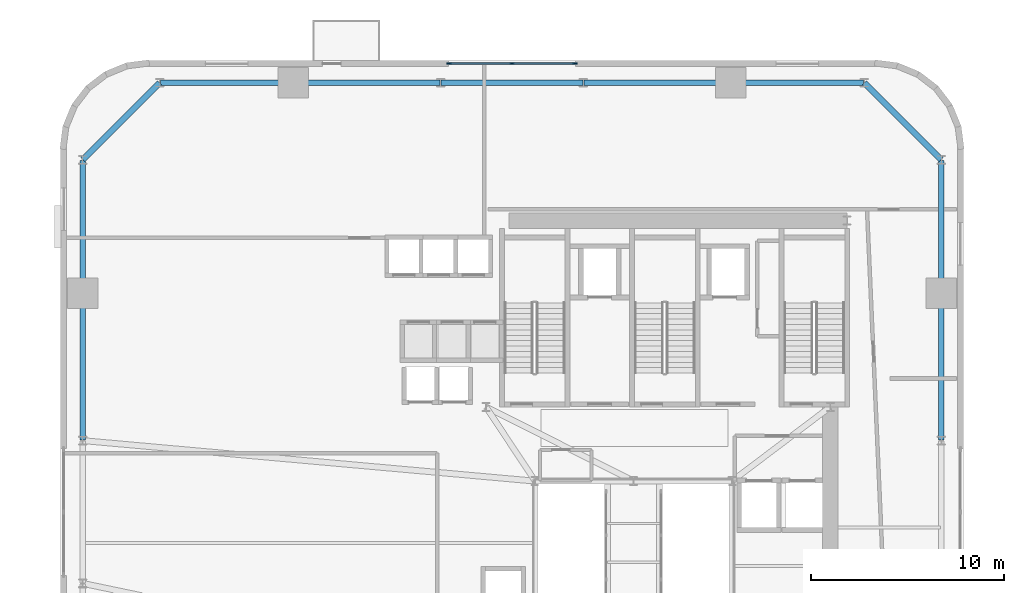
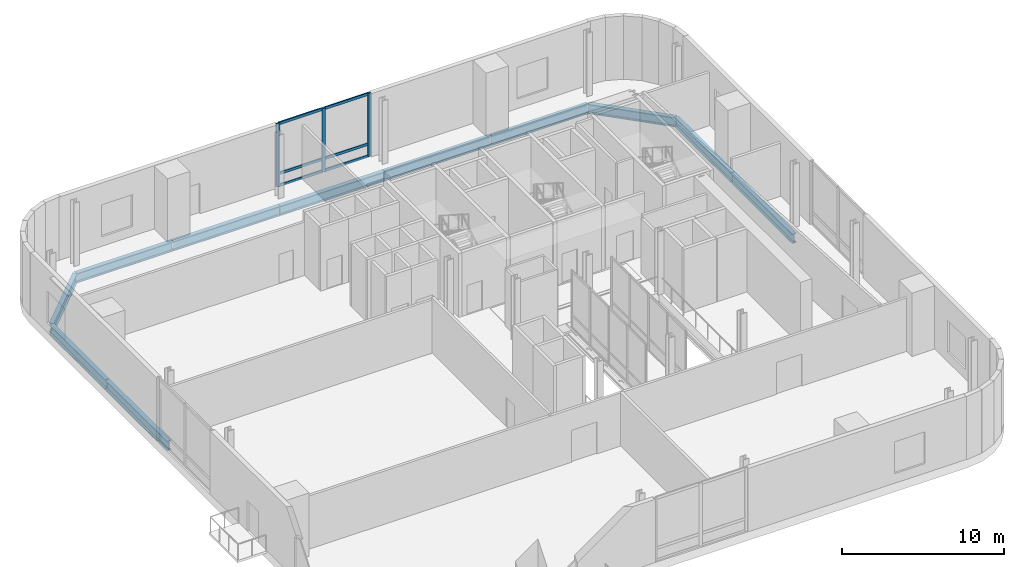
# One storey, part 5 of 13: 11 beams, 9 members, 1 element without a shape of its own.
"""IFC4 building model written with IfcOpenShell, lengths in metres."""

from ifc_helpers import new_model, si_unit, direction, frame, origin, origin_2d, place, context, subcontext, project, spatial, rectangle, i_section, extrude, source, transform, mapped, material, material_profile, profile_set, type_object, element, aggregate, save


model = new_model("IFC4")

# Units and contexts
model_context = context("Model", 3, precision=1e-05, world=origin(), true_north=direction((0.0, 1.0)))
body_context = subcontext(model_context, "Body", "Model", "MODEL_VIEW")
ifc_project = project(units=[si_unit("LENGTHUNIT", "METRE"), si_unit("AREAUNIT", "SQUARE_METRE"), si_unit("VOLUMEUNIT", "CUBIC_METRE"), si_unit("PLANEANGLEUNIT", "RADIAN"), si_unit("MASSUNIT", "GRAM", prefix="KILO")], contexts=[model_context])

# Site, building, storey
site_placement = place(None, origin())
site = spatial("IfcSite", under=ifc_project, at=site_placement, CompositionType="ELEMENT")
building_placement = place(site_placement, origin())
building = spatial("IfcBuilding", under=site, at=building_placement, Name="Vardaveli Station Tower", CompositionType="ELEMENT")
storey_placement = place(building_placement, frame((0.0, 0.0, 98.699951171875)))
storey = spatial("IfcBuildingStorey", under=building, at=storey_placement, Name="L25", CompositionType="ELEMENT", Elevation=98.699951171875)

# Beams
ifc_material_1 = material(Name="Structural steel S460M", Category="steel")
ifc_material_profile_1 = material_profile(ifc_material_1, i_section(OverallWidth=0.303955078125, OverallDepth=0.716064453125, WebThickness=0.02099609375, FlangeThickness=0.0400390625, FilletRadius=0.027099609375, at=origin_2d()), Name="HEM 700")
ifc_profile_set_1 = profile_set([ifc_material_profile_1], Name="Structural steel S460M")
beam_type = type_object("IfcBeamType", Name="BM-HEM700", PredefinedType="BEAM", material=ifc_profile_set_1)
shared_shape_1 = source(origin(), body_context, "Body", "SweptSolid", [
    extrude(i_section(OverallWidth=0.303955078125, OverallDepth=0.716064453125, WebThickness=0.02099609375, FlangeThickness=0.0400390625, FilletRadius=0.027099609375, at=origin_2d()), origin(), (0.0, 0.0, 1.0), 7.60009765625),
])
for number, where, z_axis, x_axis, name in (
    (1, (52.25, 28.919921875, -1.008056640625), (0.0, 1.0, 0.0), (-1.0, 0.0, 0.0), "RBM-L25-09"),
    (2, (41.320068359375, 47.449951171875, -1.008056640625), (-1.0, 0.0, 0.0), (0.0, -1.0, 0.0), "RBM-L25-13"),
    (3, (26.280029296875, 47.449951171875, -1.008056640625), (-1.0, 0.0, 0.0), (0.0, -1.0, 0.0), "RBM-L25-15"),
    (4, (7.75, 36.52001953125, -1.008056640625), (0.0, -1.0, 0.0), (1.0, 0.0, 0.0), "RBM-L25-19"),
):
    element("IfcBeam", number, at=place(storey_placement, frame(where, z_axis=z_axis, x_axis=x_axis)), inside=storey, type_object=beam_type, Name=name, PredefinedType="BEAM", context=body_context, shape_type="MappedRepresentation", body=[
        mapped(shared_shape_1, transform((0.0, 0.0, 0.0), scale=1.0)),
    ])
shared_shape_2 = source(origin(), body_context, "Body", "SweptSolid", [
    extrude(i_section(OverallWidth=0.303955078125, OverallDepth=0.716064453125, WebThickness=0.02099609375, FlangeThickness=0.0400390625, FilletRadius=0.027099609375, at=origin_2d()), origin(), (0.0, 0.0, 1.0), 7.35986328125),
])
beam_placement = place(storey_placement, frame((33.679931640625, 47.449951171875, -1.008056640625), z_axis=(-1.0, 0.0, 0.0), x_axis=(0.0, -1.0, 0.0)))
element("IfcBeam", 5, at=beam_placement, inside=storey, type_object=beam_type, Name="RBM-L25-14", PredefinedType="BEAM", context=body_context, shape_type="MappedRepresentation", body=[
    mapped(shared_shape_2, transform((0.0, 0.0, 0.0), scale=1.0)),
])
shared_shape_3 = source(origin(), body_context, "Body", "SweptSolid", [
    extrude(i_section(OverallWidth=0.303955078125, OverallDepth=0.716064453125, WebThickness=0.02099609375, FlangeThickness=0.0400390625, FilletRadius=0.027099609375, at=origin_2d()), origin(), (0.0, 0.0, 1.0), 6.869873046875),
])
for number, where, z_axis, x_axis, name in (
    (6, (52.25, 36.56005859375, -1.008056640625), (0.0, 1.0, 0.0), (-1.0, 0.0, 0.0), "RBM-L25-10"),
    (7, (48.22998046875, 47.449951171875, -1.008056640625), (-1.0, 0.0, 0.0), (0.0, -1.0, 0.0), "RBM-L25-12"),
    (8, (18.639892578125, 47.449951171875, -1.008056640625), (-1.0, 0.0, 0.0), (0.0, -1.0, 0.0), "RBM-L25-16"),
    (9, (7.75, 43.429931640625, -1.008056640625), (0.0, -1.0, 0.0), (1.0, 0.0, 0.0), "RBM-L25-18"),
):
    element("IfcBeam", number, at=place(storey_placement, frame(where, z_axis=z_axis, x_axis=x_axis)), inside=storey, type_object=beam_type, Name=name, PredefinedType="BEAM", context=body_context, shape_type="MappedRepresentation", body=[
        mapped(shared_shape_3, transform((0.0, 0.0, 0.0), scale=1.0)),
    ])
shared_shape_4 = source(origin(), body_context, "Body", "SweptSolid", [
    extrude(i_section(OverallWidth=0.303955078125, OverallDepth=0.716064453125, WebThickness=0.02099609375, FlangeThickness=0.0400390625, FilletRadius=0.027099609375, at=origin_2d()), origin(), (0.0, 0.0, 1.0), 5.61669921875),
])
for number, where, z_axis, x_axis, name in (
    (10, (52.23583984375, 43.464111328125, -1.008056640625), (-0.707106781187, 0.707106781187, 0.0), (-0.707106781187, -0.707106781187, 0.0), "RBM-L25-11"),
    (11, (11.73583984375, 47.435791015625, -1.008056640625), (-0.707106781187, -0.707106781187, 0.0), (0.707106781187, -0.707106781187, 0.0), "RBM-L25-17"),
):
    element("IfcBeam", number, at=place(storey_placement, frame(where, z_axis=z_axis, x_axis=x_axis)), inside=storey, type_object=beam_type, Name=name, PredefinedType="BEAM", context=body_context, shape_type="MappedRepresentation", body=[
        mapped(shared_shape_4, transform((0.0, 0.0, 0.0), scale=1.0)),
    ])

# Curtain wall, members
ifc_material_2 = material(Name="Travertine stone and solar-control glass", Category="masonry")
curtain_wall_type = type_object("IfcCurtainWallType", Name="CW-SYS-3", PredefinedType="NOTDEFINED", material=ifc_material_2)
curtain_wall_placement = place(storey_placement, origin())
curtain_wall = element("IfcCurtainWall", 12, at=curtain_wall_placement, inside=storey, type_object=curtain_wall_type, Name="CW-L25-N", PredefinedType="NOTDEFINED")
ifc_material_3 = material(Name="Anodised aluminium alloy 6063-T6", Category="aluminium")
ifc_material_profile_2 = material_profile(ifc_material_3, rectangle(XDim=0.090087890625, YDim=0.25, at=origin_2d()), Name="CWM 90x250")
ifc_profile_set_2 = profile_set([ifc_material_profile_2], Name="Anodised aluminium alloy 6063-T6")
member_type_1 = type_object("IfcMemberType", Name="CW-SYS-3-MULL", PredefinedType="MULLION", material=ifc_profile_set_2)
shared_shape_5 = source(origin(), body_context, "Body", "SweptSolid", [
    extrude(rectangle(XDim=0.090087890625, YDim=0.25, at=origin_2d()), origin(), (0.0, 0.0, 1.0), 4.760009765625),
])
member_1_placement = place(storey_placement, frame((33.2548828125, 48.43994140625, 0.0), z_axis=(0.0, 0.0, 1.0), x_axis=(0.0, -1.0, 0.0)))
member_1 = element("IfcMember", 13, at=member_1_placement, type_object=member_type_1, Name="CW-3 mullion 1", PredefinedType="MULLION", context=body_context, shape_type="MappedRepresentation", body=[
    mapped(shared_shape_5, transform((0.0, 0.0, 0.0), scale=1.0)),
])
member_2_placement = place(storey_placement, frame((30.0, 48.43994140625, 0.0), z_axis=(0.0, 0.0, 1.0), x_axis=(0.0, -1.0, 0.0)))
member_2 = element("IfcMember", 14, at=member_2_placement, type_object=member_type_1, Name="CW-3 mullion 2", PredefinedType="MULLION", context=body_context, shape_type="MappedRepresentation", body=[
    mapped(shared_shape_5, transform((0.0, 0.0, 0.0), scale=1.0)),
])
member_3_placement = place(storey_placement, frame((26.7451171875, 48.43994140625, 0.0), z_axis=(0.0, 0.0, 1.0), x_axis=(0.0, -1.0, 0.0)))
member_3 = element("IfcMember", 15, at=member_3_placement, type_object=member_type_1, Name="CW-3 mullion 3", PredefinedType="MULLION", context=body_context, shape_type="MappedRepresentation", body=[
    mapped(shared_shape_5, transform((0.0, 0.0, 0.0), scale=1.0)),
])
ifc_material_profile_3 = material_profile(ifc_material_3, rectangle(XDim=0.090087890625, YDim=0.199951171875, at=origin_2d()), Name="CWT 90x200")
ifc_profile_set_3 = profile_set([ifc_material_profile_3], Name="Anodised aluminium alloy 6063-T6")
member_type_2 = type_object("IfcMemberType", Name="CW-SYS-3-TRAN", PredefinedType="NOTDEFINED", material=ifc_profile_set_3)
shared_shape_6 = source(origin(), body_context, "Body", "SweptSolid", [
    extrude(rectangle(XDim=0.090087890625, YDim=0.199951171875, at=origin_2d()), origin(), (0.0, 0.0, 1.0), 3.1650390625),
])
member_4_placement = place(storey_placement, frame((33.2099609375, 48.43994140625, 0.045166015625), z_axis=(-1.0, 0.0, 0.0), x_axis=(0.0, -1.0, 0.0)))
member_4 = element("IfcMember", 16, at=member_4_placement, type_object=member_type_2, Name="CW-3 transom 1.1", ObjectType="TRANSOM", PredefinedType="USERDEFINED", context=body_context, shape_type="MappedRepresentation", body=[
    mapped(shared_shape_6, transform((0.0, 0.0, 0.0), scale=1.0)),
])
member_5_placement = place(storey_placement, frame((33.2099609375, 48.43994140625, 0.949951171875), z_axis=(-1.0, 0.0, 0.0), x_axis=(0.0, -1.0, 0.0)))
member_5 = element("IfcMember", 17, at=member_5_placement, type_object=member_type_2, Name="CW-3 transom 1.2", ObjectType="TRANSOM", PredefinedType="USERDEFINED", context=body_context, shape_type="MappedRepresentation", body=[
    mapped(shared_shape_6, transform((0.0, 0.0, 0.0), scale=1.0)),
])
member_6_placement = place(storey_placement, frame((33.2099609375, 48.43994140625, 4.715087890625), z_axis=(-1.0, 0.0, 0.0), x_axis=(0.0, -1.0, 0.0)))
member_6 = element("IfcMember", 18, at=member_6_placement, type_object=member_type_2, Name="CW-3 transom 1.3", ObjectType="TRANSOM", PredefinedType="USERDEFINED", context=body_context, shape_type="MappedRepresentation", body=[
    mapped(shared_shape_6, transform((0.0, 0.0, 0.0), scale=1.0)),
])
member_7_placement = place(storey_placement, frame((29.955078125, 48.43994140625, 0.045166015625), z_axis=(-1.0, 0.0, 0.0), x_axis=(0.0, -1.0, 0.0)))
member_7 = element("IfcMember", 19, at=member_7_placement, type_object=member_type_2, Name="CW-3 transom 2.1", ObjectType="TRANSOM", PredefinedType="USERDEFINED", context=body_context, shape_type="MappedRepresentation", body=[
    mapped(shared_shape_6, transform((0.0, 0.0, 0.0), scale=1.0)),
])
member_8_placement = place(storey_placement, frame((29.955078125, 48.43994140625, 0.949951171875), z_axis=(-1.0, 0.0, 0.0), x_axis=(0.0, -1.0, 0.0)))
member_8 = element("IfcMember", 20, at=member_8_placement, type_object=member_type_2, Name="CW-3 transom 2.2", ObjectType="TRANSOM", PredefinedType="USERDEFINED", context=body_context, shape_type="MappedRepresentation", body=[
    mapped(shared_shape_6, transform((0.0, 0.0, 0.0), scale=1.0)),
])
member_9_placement = place(storey_placement, frame((29.955078125, 48.43994140625, 4.715087890625), z_axis=(-1.0, 0.0, 0.0), x_axis=(0.0, -1.0, 0.0)))
member_9 = element("IfcMember", 21, at=member_9_placement, type_object=member_type_2, Name="CW-3 transom 2.3", ObjectType="TRANSOM", PredefinedType="USERDEFINED", context=body_context, shape_type="MappedRepresentation", body=[
    mapped(shared_shape_6, transform((0.0, 0.0, 0.0), scale=1.0)),
])
aggregate(curtain_wall, [member_1, member_2, member_3, member_4, member_5, member_6, member_7, member_8, member_9])

save(model, "model.ifc")
